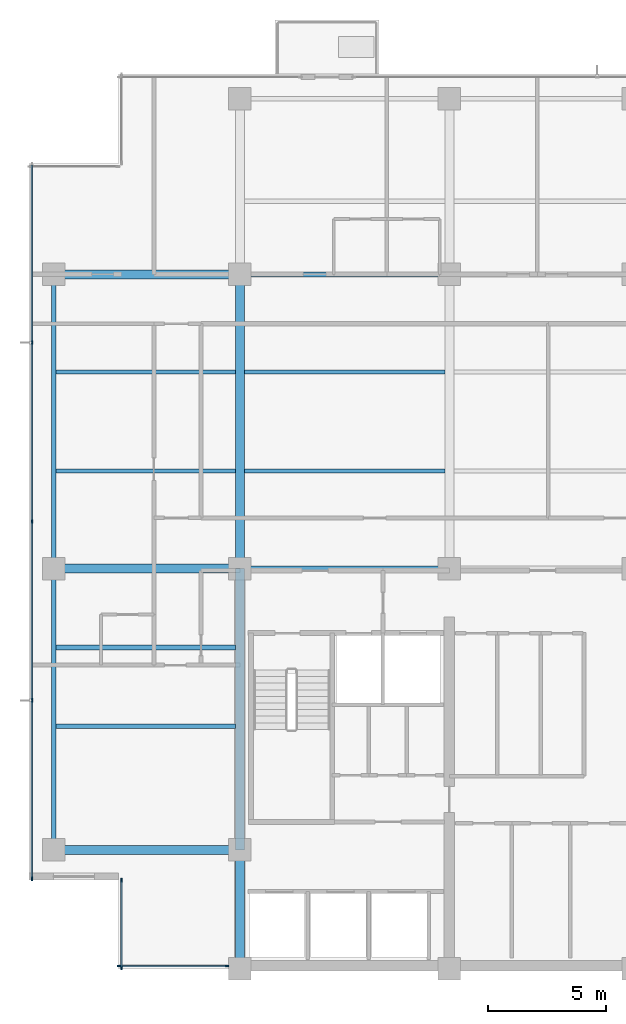
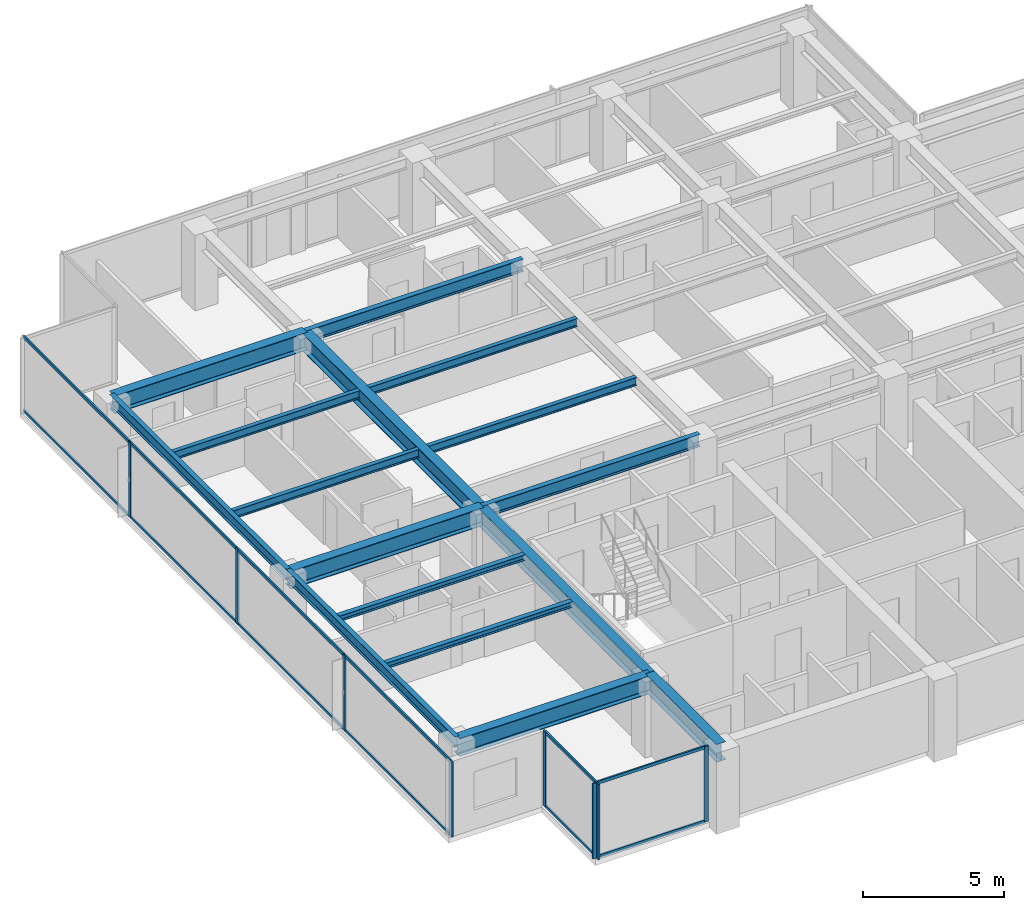
# One storey, part 2 of 14: 20 members, 16 beams, 3 elements without a shape of their own.
"""IFC4 building model written with IfcOpenShell, lengths in metres."""

from ifc_helpers import new_model, si_unit, direction, frame, origin, origin_2d, place, context, subcontext, project, spatial, rectangle, i_section, extrude, material, layer, layer_set, material_profile, profile_set, type_object, element, aggregate, save


model = new_model("IFC4")

# Units and contexts
model_context = context("Model", 3, precision=1e-05, world=origin(), true_north=direction((0.0, 1.0)))
body_context = subcontext(model_context, "Body", "Model", "MODEL_VIEW")
ifc_project = project(units=[si_unit("LENGTHUNIT", "METRE"), si_unit("AREAUNIT", "SQUARE_METRE"), si_unit("VOLUMEUNIT", "CUBIC_METRE"), si_unit("PLANEANGLEUNIT", "RADIAN"), si_unit("MASSUNIT", "GRAM", prefix="KILO")], contexts=[model_context])

# Site, building, storey
site_placement = place(None, origin())
site = spatial("IfcSite", under=ifc_project, at=site_placement, CompositionType="ELEMENT")
building_placement = place(site_placement, origin())
building = spatial("IfcBuilding", under=site, at=building_placement, Name="Qalmaran Belvedere Hotel", CompositionType="ELEMENT")
storey_placement = place(building_placement, frame((0.0, 0.0, 228.39990234375)))
storey = spatial("IfcBuildingStorey", under=building, at=storey_placement, Name="L58", CompositionType="ELEMENT", Elevation=228.39990234375)

# Beams
ifc_material_1 = material(Name="Steel S355JR", Category="steel")
ifc_material_profile_1 = material_profile(ifc_material_1, i_section(OverallWidth=0.201904296875, OverallDepth=0.2470703125, WebThickness=0.00732421875, FlangeThickness=0.010986328125, FilletRadius=0.011962890625, at=origin_2d()), Name="W250X49")
ifc_profile_set_1 = profile_set([ifc_material_profile_1], Name="Steel S355JR")
beam_type_1 = type_object("IfcBeamType", Name="BM-JST-W250X49", PredefinedType="JOIST", material=ifc_profile_set_1)
for number, where, z_axis, x_axis, name in (
    (1, (12.493896484375, 13.800048828125, 3.13671875), (1.0, 0.0, 0.0), (0.0, 1.0, 0.0), "L58 West Wing Joist 038"),
    (2, (12.493896484375, 17.14990234375, 3.13671875), (1.0, 0.0, 0.0), (0.0, 1.0, 0.0), "L58 West Wing Joist 040"),
):
    element("IfcBeam", number, at=place(storey_placement, frame(where, z_axis=z_axis, x_axis=x_axis)), inside=storey, type_object=beam_type_1, Name=name, PredefinedType="JOIST", context=body_context, shape_type="SweptSolid", body=[
        extrude(i_section(OverallWidth=0.201904296875, OverallDepth=0.2470703125, WebThickness=0.00732421875, FlangeThickness=0.010986328125, FilletRadius=0.011962890625, at=origin_2d()), origin(), (0.0, 0.0, 1.0), 7.61767578125),
    ])
ifc_material_profile_2 = material_profile(ifc_material_1, i_section(OverallWidth=0.381103515625, OverallDepth=0.77294921875, WebThickness=0.0166015625, FlangeThickness=0.027099609375, FilletRadius=0.02197265625, at=origin_2d()), Name="W760X257")
ifc_profile_set_2 = profile_set([ifc_material_profile_2], Name="Steel S355JR")
beam_type_2 = type_object("IfcBeamType", Name="BM-PG4-W760X257", PredefinedType="USERDEFINED", material=ifc_profile_set_2)
beam_1_placement = place(storey_placement, frame((20.300048828125, 20.5, 2.87353515625), z_axis=(0.0, 1.0, 0.0), x_axis=(-1.0, 0.0, 0.0)))
element("IfcBeam", 3, at=beam_1_placement, inside=storey, type_object=beam_type_2, Name="L58 Mid-Plate N-S Girder 14", ObjectType="GIRDER", PredefinedType="USERDEFINED", context=body_context, shape_type="SweptSolid", body=[
    extrude(i_section(OverallWidth=0.381103515625, OverallDepth=0.77294921875, WebThickness=0.0166015625, FlangeThickness=0.027099609375, FilletRadius=0.02197265625, at=origin_2d()), origin(), (0.0, 0.0, 1.0), 12.5),
])
for number, where, z_axis, x_axis, name in (
    (4, (12.39990234375, 8.550048828125, 2.87353515625), (1.0, 0.0, 0.0), (0.0, 1.0, 0.0), "L58 West Wing Girder 22"),
    (5, (12.39990234375, 20.5, 2.87353515625), (1.0, 0.0, 0.0), (0.0, 1.0, 0.0), "L58 West Wing Girder 23"),
    (6, (12.39990234375, 33.0, 2.87353515625), (1.0, 0.0, 0.0), (0.0, 1.0, 0.0), "L58 West Wing Girder 24"),
):
    element("IfcBeam", number, at=place(storey_placement, frame(where, z_axis=z_axis, x_axis=x_axis)), inside=storey, type_object=beam_type_2, Name=name, ObjectType="GIRDER", PredefinedType="USERDEFINED", context=body_context, shape_type="SweptSolid", body=[
        extrude(i_section(OverallWidth=0.381103515625, OverallDepth=0.77294921875, WebThickness=0.0166015625, FlangeThickness=0.027099609375, FilletRadius=0.02197265625, at=origin_2d()), origin(), (0.0, 0.0, 1.0), 7.900146484375),
    ])
beam_2_placement = place(storey_placement, frame((20.300048828125, 3.5, 2.87353515625), z_axis=(0.0, 1.0, 0.0), x_axis=(-1.0, 0.0, 0.0)))
element("IfcBeam", 7, at=beam_2_placement, inside=storey, type_object=beam_type_2, Name="L58 West Core Edge Girder A", ObjectType="GIRDER", PredefinedType="USERDEFINED", context=body_context, shape_type="SweptSolid", body=[
    extrude(i_section(OverallWidth=0.381103515625, OverallDepth=0.77294921875, WebThickness=0.0166015625, FlangeThickness=0.027099609375, FilletRadius=0.02197265625, at=origin_2d()), origin(), (0.0, 0.0, 1.0), 5.050048828125),
])
beam_3_placement = place(storey_placement, frame((20.300048828125, 8.550048828125, 2.87353515625), z_axis=(0.0, 1.0, 0.0), x_axis=(-1.0, 0.0, 0.0)))
element("IfcBeam", 8, at=beam_3_placement, inside=storey, type_object=beam_type_2, Name="L58 West Core Edge Girder B", ObjectType="GIRDER", PredefinedType="USERDEFINED", context=body_context, shape_type="SweptSolid", body=[
    extrude(i_section(OverallWidth=0.381103515625, OverallDepth=0.77294921875, WebThickness=0.0166015625, FlangeThickness=0.027099609375, FilletRadius=0.02197265625, at=origin_2d()), origin(), (0.0, 0.0, 1.0), 11.949951171875),
])
ifc_material_profile_3 = material_profile(ifc_material_1, i_section(OverallWidth=0.172119140625, OverallDepth=0.35791015625, WebThickness=0.0078125, FlangeThickness=0.01318359375, FilletRadius=0.014892578125, at=origin_2d()), Name="W360X57")
ifc_profile_set_3 = profile_set([ifc_material_profile_3], Name="Steel S355JR")
beam_type_3 = type_object("IfcBeamType", Name="BM-SB4-W360X57", PredefinedType="BEAM", material=ifc_profile_set_3)
beam_4_placement = place(storey_placement, frame((12.493896484375, 24.64990234375, 3.0810546875), z_axis=(1.0, 0.0, 0.0), x_axis=(0.0, 1.0, 0.0)))
element("IfcBeam", 9, at=beam_4_placement, inside=storey, type_object=beam_type_3, Name="L58 West Secondary Beam 028", PredefinedType="BEAM", context=body_context, shape_type="SweptSolid", body=[
    extrude(i_section(OverallWidth=0.172119140625, OverallDepth=0.35791015625, WebThickness=0.0078125, FlangeThickness=0.01318359375, FilletRadius=0.014892578125, at=origin_2d()), origin(), (0.0, 0.0, 1.0), 7.61767578125),
])
beam_5_placement = place(storey_placement, frame((20.488525390625, 24.64990234375, 3.0810546875), z_axis=(1.0, 0.0, 0.0), x_axis=(0.0, 1.0, 0.0)))
element("IfcBeam", 10, at=beam_5_placement, inside=storey, type_object=beam_type_3, Name="L58 Secondary Floor Beam 029", PredefinedType="BEAM", context=body_context, shape_type="SweptSolid", body=[
    extrude(i_section(OverallWidth=0.172119140625, OverallDepth=0.35791015625, WebThickness=0.0078125, FlangeThickness=0.01318359375, FilletRadius=0.014892578125, at=origin_2d()), origin(), (0.0, 0.0, 1.0), 8.52294921875),
])
beam_6_placement = place(storey_placement, frame((12.493896484375, 28.85009765625, 3.0810546875), z_axis=(1.0, 0.0, 0.0), x_axis=(0.0, 1.0, 0.0)))
element("IfcBeam", 11, at=beam_6_placement, inside=storey, type_object=beam_type_3, Name="L58 West Secondary Beam 033", PredefinedType="BEAM", context=body_context, shape_type="SweptSolid", body=[
    extrude(i_section(OverallWidth=0.172119140625, OverallDepth=0.35791015625, WebThickness=0.0078125, FlangeThickness=0.01318359375, FilletRadius=0.014892578125, at=origin_2d()), origin(), (0.0, 0.0, 1.0), 7.61767578125),
])
beam_7_placement = place(storey_placement, frame((20.488525390625, 28.85009765625, 3.0810546875), z_axis=(1.0, 0.0, 0.0), x_axis=(0.0, 1.0, 0.0)))
element("IfcBeam", 12, at=beam_7_placement, inside=storey, type_object=beam_type_3, Name="L58 Secondary Floor Beam 034", PredefinedType="BEAM", context=body_context, shape_type="SweptSolid", body=[
    extrude(i_section(OverallWidth=0.172119140625, OverallDepth=0.35791015625, WebThickness=0.0078125, FlangeThickness=0.01318359375, FilletRadius=0.014892578125, at=origin_2d()), origin(), (0.0, 0.0, 1.0), 8.52294921875),
])
ifc_material_profile_4 = material_profile(ifc_material_1, i_section(OverallWidth=0.19189453125, OverallDepth=0.462890625, WebThickness=0.010498046875, FlangeThickness=0.017578125, FilletRadius=0.01611328125, at=origin_2d()), Name="W460X89")
ifc_profile_set_4 = profile_set([ifc_material_profile_4], Name="Steel S355JR")
beam_type_4 = type_object("IfcBeamType", Name="BM-SP2-W460X89", PredefinedType="SPANDREL", material=ifc_profile_set_4)
beam_8_placement = place(storey_placement, frame((12.39990234375, 8.550048828125, 3.028564453125), z_axis=(0.0, 1.0, 0.0), x_axis=(-1.0, 0.0, 0.0)))
element("IfcBeam", 13, at=beam_8_placement, inside=storey, type_object=beam_type_4, Name="L58 Perimeter Spandrel 01", PredefinedType="SPANDREL", context=body_context, shape_type="SweptSolid", body=[
    extrude(i_section(OverallWidth=0.19189453125, OverallDepth=0.462890625, WebThickness=0.010498046875, FlangeThickness=0.017578125, FilletRadius=0.01611328125, at=origin_2d()), origin(), (0.0, 0.0, 1.0), 11.949951171875),
])
beam_9_placement = place(storey_placement, frame((12.39990234375, 20.5, 3.028564453125), z_axis=(0.0, 1.0, 0.0), x_axis=(-1.0, 0.0, 0.0)))
element("IfcBeam", 14, at=beam_9_placement, inside=storey, type_object=beam_type_4, Name="L58 Perimeter Spandrel 02", PredefinedType="SPANDREL", context=body_context, shape_type="SweptSolid", body=[
    extrude(i_section(OverallWidth=0.19189453125, OverallDepth=0.462890625, WebThickness=0.010498046875, FlangeThickness=0.017578125, FilletRadius=0.01611328125, at=origin_2d()), origin(), (0.0, 0.0, 1.0), 12.5),
])
ifc_material_profile_5 = material_profile(ifc_material_1, i_section(OverallWidth=0.2109375, OverallDepth=0.5390625, WebThickness=0.01171875, FlangeThickness=0.018798828125, FilletRadius=0.01806640625, at=origin_2d()), Name="W530X109")
ifc_profile_set_5 = profile_set([ifc_material_profile_5], Name="Steel S355JR")
beam_type_5 = type_object("IfcBeamType", Name="BM-Z4-W530X109", PredefinedType="USERDEFINED", material=ifc_profile_set_5)
for number, where, z_axis, x_axis, name in (
    (15, (20.300048828125, 20.5, 2.990478515625), (1.0, 0.0, 0.0), (0.0, 1.0, 0.0), "L58 Interior E-W Girder 08"),
    (16, (20.300048828125, 33.0, 2.990478515625), (1.0, 0.0, 0.0), (0.0, 1.0, 0.0), "L58 Interior E-W Girder 11"),
):
    element("IfcBeam", number, at=place(storey_placement, frame(where, z_axis=z_axis, x_axis=x_axis)), inside=storey, type_object=beam_type_5, Name=name, ObjectType="GIRDER", PredefinedType="USERDEFINED", context=body_context, shape_type="SweptSolid", body=[
        extrude(i_section(OverallWidth=0.2109375, OverallDepth=0.5390625, WebThickness=0.01171875, FlangeThickness=0.018798828125, FilletRadius=0.01806640625, at=origin_2d()), origin(), (0.0, 0.0, 1.0), 8.89990234375),
    ])

# Curtain wall, members
ifc_material_2 = material(Name="Anodised Bronze Aluminium", Category="aluminium")
ifc_layer = layer(ifc_material_2, 0.18994140625, Name="Anodised Bronze Aluminium")
ifc_layer_set = layer_set([ifc_layer], Name="Anodised Bronze Aluminium")
curtain_wall_type = type_object("IfcCurtainWallType", Name="CW5-TOWER-UPPER", PredefinedType="NOTDEFINED", material=ifc_layer_set)
curtain_wall_1_placement = place(storey_placement, origin())
curtain_wall_1 = element("IfcCurtainWall", 17, at=curtain_wall_1_placement, inside=storey, type_object=curtain_wall_type, Name="L58 Curtain Wall CW5", PredefinedType="NOTDEFINED")
ifc_material_profile_6 = material_profile(ifc_material_2, rectangle(XDim=0.06494140625, YDim=0.1650390625, at=origin_2d()), Name="CWM65X165")
ifc_profile_set_6 = profile_set([ifc_material_profile_6], Name="Anodised Bronze Aluminium")
member_type_1 = type_object("IfcMemberType", Name="CWM-65X165", PredefinedType="MULLION", material=ifc_profile_set_6)
member_1_placement = place(storey_placement, frame((15.1826171875, 3.6201171875, 0.0), z_axis=(0.0, 0.0, 1.0), x_axis=(0.0, 1.0, 0.0)))
member_1 = element("IfcMember", 18, at=member_1_placement, type_object=member_type_1, Name="CW5 mullion 1", PredefinedType="MULLION", context=body_context, shape_type="SweptSolid", body=[
    extrude(rectangle(XDim=0.06494140625, YDim=0.1650390625, at=origin_2d()), origin(), (0.0, 0.0, 1.0), 3.260009765625),
])
member_2_placement = place(storey_placement, frame((19.75244140625, 3.6201171875, 0.0), z_axis=(0.0, 0.0, 1.0), x_axis=(0.0, 1.0, 0.0)))
member_2 = element("IfcMember", 19, at=member_2_placement, type_object=member_type_1, Name="CW5 mullion 2", PredefinedType="MULLION", context=body_context, shape_type="SweptSolid", body=[
    extrude(rectangle(XDim=0.06494140625, YDim=0.1650390625, at=origin_2d()), origin(), (0.0, 0.0, 1.0), 3.260009765625),
])

curtain_wall_2_placement = place(storey_placement, origin())
curtain_wall_2 = element("IfcCurtainWall", 20, at=curtain_wall_2_placement, inside=storey, type_object=curtain_wall_type, Name="L58 Curtain Wall CW5", PredefinedType="NOTDEFINED")
member_3_placement = place(storey_placement, frame((11.469970703125, 30.10009765625, 0.0), z_axis=(0.0, 0.0, 1.0), x_axis=(1.0, 0.0, 0.0)))
member_3 = element("IfcMember", 21, at=member_3_placement, type_object=member_type_1, Name="CW5 mullion 2", PredefinedType="MULLION", context=body_context, shape_type="SweptSolid", body=[
    extrude(rectangle(XDim=0.06494140625, YDim=0.1650390625, at=origin_2d()), origin(), (0.0, 0.0, 1.0), 3.260009765625),
])
member_4_placement = place(storey_placement, frame((11.469970703125, 22.5, 0.0), z_axis=(0.0, 0.0, 1.0), x_axis=(1.0, 0.0, 0.0)))
member_4 = element("IfcMember", 22, at=member_4_placement, type_object=member_type_1, Name="CW5 mullion 3", PredefinedType="MULLION", context=body_context, shape_type="SweptSolid", body=[
    extrude(rectangle(XDim=0.06494140625, YDim=0.1650390625, at=origin_2d()), origin(), (0.0, 0.0, 1.0), 3.260009765625),
])
member_5_placement = place(storey_placement, frame((11.469970703125, 14.89990234375, 0.0), z_axis=(0.0, 0.0, 1.0), x_axis=(1.0, 0.0, 0.0)))
member_5 = element("IfcMember", 23, at=member_5_placement, type_object=member_type_1, Name="CW5 mullion 4", PredefinedType="MULLION", context=body_context, shape_type="SweptSolid", body=[
    extrude(rectangle(XDim=0.06494140625, YDim=0.1650390625, at=origin_2d()), origin(), (0.0, 0.0, 1.0), 3.260009765625),
])
member_6_placement = place(storey_placement, frame((11.469970703125, 7.33251953125, 0.0), z_axis=(0.0, 0.0, 1.0), x_axis=(1.0, 0.0, 0.0)))
member_6 = element("IfcMember", 24, at=member_6_placement, type_object=member_type_1, Name="CW5 mullion 5", PredefinedType="MULLION", context=body_context, shape_type="SweptSolid", body=[
    extrude(rectangle(XDim=0.06494140625, YDim=0.1650390625, at=origin_2d()), origin(), (0.0, 0.0, 1.0), 3.260009765625),
])

curtain_wall_3_placement = place(storey_placement, origin())
curtain_wall_3 = element("IfcCurtainWall", 25, at=curtain_wall_3_placement, inside=storey, type_object=curtain_wall_type, Name="L58 Curtain Wall CW5", PredefinedType="NOTDEFINED")
member_7_placement = place(storey_placement, frame((15.27001953125, 7.267578125, 0.0), z_axis=(0.0, 0.0, 1.0), x_axis=(1.0, 0.0, 0.0)))
member_7 = element("IfcMember", 26, at=member_7_placement, type_object=member_type_1, Name="CW5 mullion 1", PredefinedType="MULLION", context=body_context, shape_type="SweptSolid", body=[
    extrude(rectangle(XDim=0.06494140625, YDim=0.1650390625, at=origin_2d()), origin(), (0.0, 0.0, 1.0), 3.260009765625),
])
member_8_placement = place(storey_placement, frame((15.27001953125, 3.532470703125, 0.0), z_axis=(0.0, 0.0, 1.0), x_axis=(1.0, 0.0, 0.0)))
member_8 = element("IfcMember", 27, at=member_8_placement, type_object=member_type_1, Name="CW5 mullion 2", PredefinedType="MULLION", context=body_context, shape_type="SweptSolid", body=[
    extrude(rectangle(XDim=0.06494140625, YDim=0.1650390625, at=origin_2d()), origin(), (0.0, 0.0, 1.0), 3.260009765625),
])

# Member
ifc_material_profile_7 = material_profile(ifc_material_2, rectangle(XDim=0.06494140625, YDim=0.1298828125, at=origin_2d()), Name="CWT65X130")
ifc_profile_set_7 = profile_set([ifc_material_profile_7], Name="Anodised Bronze Aluminium")
member_type_2 = type_object("IfcMemberType", Name="CWT-65X130", PredefinedType="USERDEFINED", material=ifc_profile_set_7)
member_9_placement = place(storey_placement, frame((15.215087890625, 3.6201171875, 0.03271484375), z_axis=(1.0, 0.0, 0.0), x_axis=(0.0, 1.0, 0.0)))
member_9 = element("IfcMember", 28, at=member_9_placement, type_object=member_type_2, Name="CW5 transom 1.1", ObjectType="TRANSOM", PredefinedType="USERDEFINED", context=body_context, shape_type="SweptSolid", body=[
    extrude(rectangle(XDim=0.06494140625, YDim=0.1298828125, at=origin_2d()), origin(), (0.0, 0.0, 1.0), 4.5048828125),
])

member_10_placement = place(storey_placement, frame((15.215087890625, 3.6201171875, 3.2275390625), z_axis=(1.0, 0.0, 0.0), x_axis=(0.0, 1.0, 0.0)))
member_10 = element("IfcMember", 29, at=member_10_placement, type_object=member_type_2, Name="CW5 transom 1.2", ObjectType="TRANSOM", PredefinedType="USERDEFINED", context=body_context, shape_type="SweptSolid", body=[
    extrude(rectangle(XDim=0.06494140625, YDim=0.1298828125, at=origin_2d()), origin(), (0.0, 0.0, 1.0), 4.5048828125),
])

aggregate(curtain_wall_1, [member_1, member_2, member_9, member_10])

member_11_placement = place(storey_placement, frame((11.469970703125, 37.635009765625, 0.03271484375), z_axis=(0.0, -1.0, 0.0), x_axis=(1.0, 0.0, 0.0)))
member_11 = element("IfcMember", 30, at=member_11_placement, type_object=member_type_2, Name="CW5 transom 1.1", ObjectType="TRANSOM", PredefinedType="USERDEFINED", context=body_context, shape_type="SweptSolid", body=[
    extrude(rectangle(XDim=0.06494140625, YDim=0.1298828125, at=origin_2d()), origin(), (0.0, 0.0, 1.0), 7.50244140625),
])

member_12_placement = place(storey_placement, frame((11.469970703125, 37.635009765625, 3.2275390625), z_axis=(0.0, -1.0, 0.0), x_axis=(1.0, 0.0, 0.0)))
member_12 = element("IfcMember", 31, at=member_12_placement, type_object=member_type_2, Name="CW5 transom 1.2", ObjectType="TRANSOM", PredefinedType="USERDEFINED", context=body_context, shape_type="SweptSolid", body=[
    extrude(rectangle(XDim=0.06494140625, YDim=0.1298828125, at=origin_2d()), origin(), (0.0, 0.0, 1.0), 7.50244140625),
])

member_13_placement = place(storey_placement, frame((11.469970703125, 30.0673828125, 0.03271484375), z_axis=(0.0, -1.0, 0.0), x_axis=(1.0, 0.0, 0.0)))
member_13 = element("IfcMember", 32, at=member_13_placement, type_object=member_type_2, Name="CW5 transom 2.1", ObjectType="TRANSOM", PredefinedType="USERDEFINED", context=body_context, shape_type="SweptSolid", body=[
    extrude(rectangle(XDim=0.06494140625, YDim=0.1298828125, at=origin_2d()), origin(), (0.0, 0.0, 1.0), 7.534912109375),
])

member_14_placement = place(storey_placement, frame((11.469970703125, 30.0673828125, 3.2275390625), z_axis=(0.0, -1.0, 0.0), x_axis=(1.0, 0.0, 0.0)))
member_14 = element("IfcMember", 33, at=member_14_placement, type_object=member_type_2, Name="CW5 transom 2.2", ObjectType="TRANSOM", PredefinedType="USERDEFINED", context=body_context, shape_type="SweptSolid", body=[
    extrude(rectangle(XDim=0.06494140625, YDim=0.1298828125, at=origin_2d()), origin(), (0.0, 0.0, 1.0), 7.534912109375),
])

member_15_placement = place(storey_placement, frame((11.469970703125, 22.467529296875, 0.03271484375), z_axis=(0.0, -1.0, 0.0), x_axis=(1.0, 0.0, 0.0)))
member_15 = element("IfcMember", 34, at=member_15_placement, type_object=member_type_2, Name="CW5 transom 3.1", ObjectType="TRANSOM", PredefinedType="USERDEFINED", context=body_context, shape_type="SweptSolid", body=[
    extrude(rectangle(XDim=0.06494140625, YDim=0.1298828125, at=origin_2d()), origin(), (0.0, 0.0, 1.0), 7.534912109375),
])

member_16_placement = place(storey_placement, frame((11.469970703125, 22.467529296875, 3.2275390625), z_axis=(0.0, -1.0, 0.0), x_axis=(1.0, 0.0, 0.0)))
member_16 = element("IfcMember", 35, at=member_16_placement, type_object=member_type_2, Name="CW5 transom 3.2", ObjectType="TRANSOM", PredefinedType="USERDEFINED", context=body_context, shape_type="SweptSolid", body=[
    extrude(rectangle(XDim=0.06494140625, YDim=0.1298828125, at=origin_2d()), origin(), (0.0, 0.0, 1.0), 7.534912109375),
])

member_17_placement = place(storey_placement, frame((11.469970703125, 14.867431640625, 0.03271484375), z_axis=(0.0, -1.0, 0.0), x_axis=(1.0, 0.0, 0.0)))
member_17 = element("IfcMember", 36, at=member_17_placement, type_object=member_type_2, Name="CW5 transom 4.1", ObjectType="TRANSOM", PredefinedType="USERDEFINED", context=body_context, shape_type="SweptSolid", body=[
    extrude(rectangle(XDim=0.06494140625, YDim=0.1298828125, at=origin_2d()), origin(), (0.0, 0.0, 1.0), 7.50244140625),
])

member_18_placement = place(storey_placement, frame((11.469970703125, 14.867431640625, 3.2275390625), z_axis=(0.0, -1.0, 0.0), x_axis=(1.0, 0.0, 0.0)))
member_18 = element("IfcMember", 37, at=member_18_placement, type_object=member_type_2, Name="CW5 transom 4.2", ObjectType="TRANSOM", PredefinedType="USERDEFINED", context=body_context, shape_type="SweptSolid", body=[
    extrude(rectangle(XDim=0.06494140625, YDim=0.1298828125, at=origin_2d()), origin(), (0.0, 0.0, 1.0), 7.50244140625),
])

aggregate(curtain_wall_2, [member_3, member_4, member_5, member_6, member_11, member_12, member_13, member_14, member_15, member_16, member_17, member_18])

member_19_placement = place(storey_placement, frame((15.27001953125, 7.235107421875, 0.03271484375), z_axis=(0.0, -1.0, 0.0), x_axis=(1.0, 0.0, 0.0)))
member_19 = element("IfcMember", 38, at=member_19_placement, type_object=member_type_2, Name="CW5 transom 1.1", ObjectType="TRANSOM", PredefinedType="USERDEFINED", context=body_context, shape_type="SweptSolid", body=[
    extrude(rectangle(XDim=0.06494140625, YDim=0.1298828125, at=origin_2d()), origin(), (0.0, 0.0, 1.0), 3.670166015625),
])

member_20_placement = place(storey_placement, frame((15.27001953125, 7.235107421875, 3.2275390625), z_axis=(0.0, -1.0, 0.0), x_axis=(1.0, 0.0, 0.0)))
member_20 = element("IfcMember", 39, at=member_20_placement, type_object=member_type_2, Name="CW5 transom 1.2", ObjectType="TRANSOM", PredefinedType="USERDEFINED", context=body_context, shape_type="SweptSolid", body=[
    extrude(rectangle(XDim=0.06494140625, YDim=0.1298828125, at=origin_2d()), origin(), (0.0, 0.0, 1.0), 3.670166015625),
])

aggregate(curtain_wall_3, [member_7, member_8, member_19, member_20])

save(model, "model.ifc")
